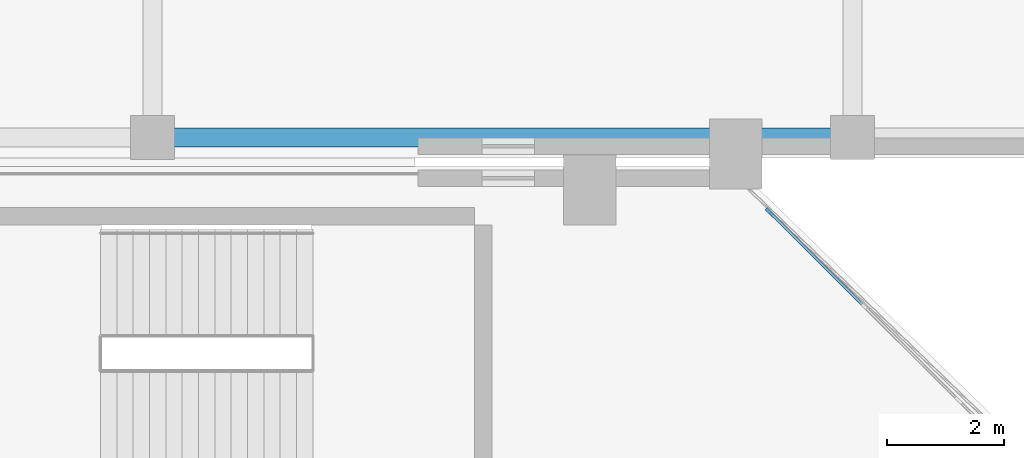
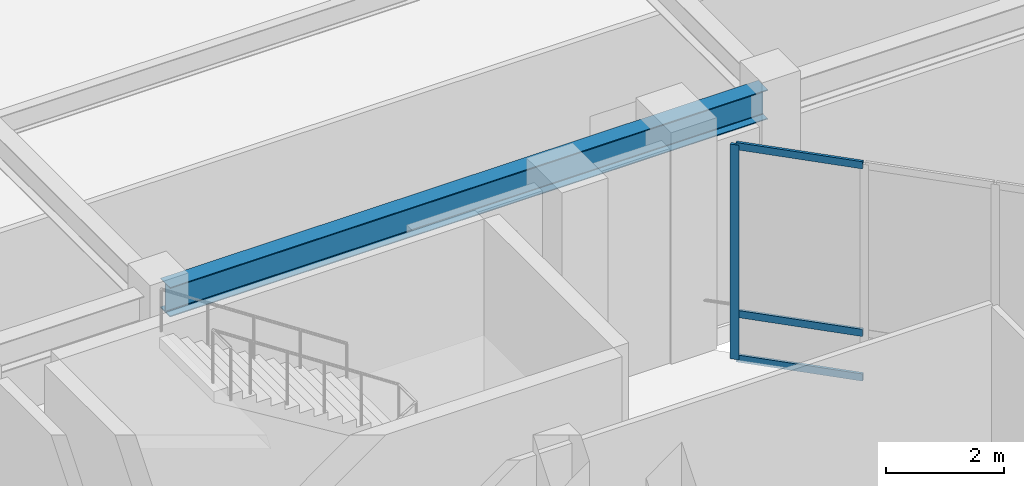
# One storey, part 37 of 126: 4 members, 1 beam, 1 element without a shape of its own.
"""IFC4 building model written with IfcOpenShell, lengths in metres."""

import ifcopenshell
import ifcopenshell.guid

model = None  # the IFC model being written
_history = None  # IfcOwnerHistory: only IFC2X3 demands one
_inside = {}  # id of a spatial element -> (the spatial element, [elements in it])
_under = {}  # id of a project, library or spatial element -> (it, [spatial elements below it])
_declared = {}  # id of a project -> (the project, [libraries it declares])
_typed = {}  # id of a type object -> (the type object, [elements of that type])
_made_of = {}  # id of a material, layer set ... -> (it, [elements and type objects made of it])


def new_model(schema):
    """Start an empty IFC model of exactly this schema.

    Asked for "IFC4X3", IfcOpenShell would pick the latest addendum, in which some entities
    have other attributes; the version numbers below select the first issue.
    IFC2X3 requires an IfcOwnerHistory on every rooted entity: one is made here for all.
    """
    global model, _history
    if schema == "IFC4X3":
        model = ifcopenshell.file(schema_version=(4, 3, 0, 0))
    else:
        model = ifcopenshell.file(schema=schema)
    _inside.clear()
    _under.clear()
    _declared.clear()
    _typed.clear()
    _made_of.clear()
    _history = None
    if model.schema == "IFC2X3":
        org = make("IfcOrganization", Name="unknown")
        user = make(
            "IfcPersonAndOrganization",
            ThePerson=make("IfcPerson", FamilyName="unknown"),
            TheOrganization=org,
        )
        app = make(
            "IfcApplication",
            ApplicationDeveloper=org,
            Version="unknown",
            ApplicationFullName="unknown",
            ApplicationIdentifier="unknown",
        )
        _history = make(
            "IfcOwnerHistory",
            OwningUser=user,
            OwningApplication=app,
            ChangeAction="ADDED",
            CreationDate=0,
        )
    return model


def make(cls, **values):
    """One entity of the class cls with the attributes given. An attribute that is None is left unset."""
    return model.create_entity(
        cls, **{name: value for name, value in values.items() if value is not None}
    )


def rooted(cls, **values):
    """An entity with a GlobalId (a new one), such as an element, a storey or a relation."""
    return make(cls, GlobalId=ifcopenshell.guid.new(), OwnerHistory=_history, **values)


def si_unit(unit_type, name, prefix=None):
    """IfcSIUnit, for example si_unit("LENGTHUNIT", "METRE", prefix="MILLI")."""
    return make("IfcSIUnit", UnitType=unit_type, Prefix=prefix, Name=name)


def derived_unit(unit_type, elements):
    """IfcDerivedUnit: a product of units, each with its exponent."""
    return make(
        "IfcDerivedUnit",
        Elements=[
            make("IfcDerivedUnitElement", Unit=unit, Exponent=power)
            for unit, power in elements
        ],
        UnitType=unit_type,
    )


def assignment(units):
    """IfcUnitAssignment: the units of a project."""
    return None if units is None else make("IfcUnitAssignment", Units=units)


def point(xyz):
    """IfcCartesianPoint."""
    return None if xyz is None else make("IfcCartesianPoint", Coordinates=xyz)


def direction(xyz):
    """IfcDirection."""
    return None if xyz is None else make("IfcDirection", DirectionRatios=xyz)


def frame(location, z_axis=None, x_axis=None):
    """IfcAxis2Placement3D, a coordinate frame: its origin and axes. An axis left out is left unset."""
    return make(
        "IfcAxis2Placement3D",
        Location=point(location),
        Axis=direction(z_axis),
        RefDirection=direction(x_axis),
    )


def frame_2d(location, x_axis=None):
    """IfcAxis2Placement2D, a coordinate frame in the plane: its origin and x axis."""
    return make(
        "IfcAxis2Placement2D", Location=point(location), RefDirection=direction(x_axis)
    )


def origin():
    """The frame at (0, 0, 0) with its axes left unset."""
    return frame((0.0, 0.0, 0.0))


def origin_2d():
    """The frame at (0, 0) in the plane with its x axis left unset."""
    return frame_2d((0.0, 0.0))


def place(relative_to, where):
    """IfcLocalPlacement: puts the frame where relative to a parent placement (None: the world)."""
    return make(
        "IfcLocalPlacement", PlacementRelTo=relative_to, RelativePlacement=where
    )


def context(
    kind, dimensions, precision=None, world=None, true_north=None, identifier=None
):
    """IfcGeometricRepresentationContext, for example the 3D "Model" context."""
    return make(
        "IfcGeometricRepresentationContext",
        ContextIdentifier=identifier,
        ContextType=kind,
        CoordinateSpaceDimension=dimensions,
        Precision=precision,
        WorldCoordinateSystem=world,
        TrueNorth=true_north,
    )


def subcontext(parent, identifier, kind, view, scale=None):
    """IfcGeometricRepresentationSubContext, for example "Body" below "Model"."""
    return make(
        "IfcGeometricRepresentationSubContext",
        ContextIdentifier=identifier,
        ContextType=kind,
        ParentContext=parent,
        TargetScale=scale,
        TargetView=view,
    )


def project(units=None, contexts=None):
    """IfcProject with its units and contexts."""
    return rooted(
        "IfcProject",
        Name="project",
        RepresentationContexts=contexts,
        UnitsInContext=assignment(units),
    )


def spatial(cls, under=None, at=None, **own):
    """A site, building, storey or space (cls), placed at a placement, below another one or the project."""
    s = rooted(cls, ObjectPlacement=at, **own)
    if under is not None:
        _under.setdefault(under.id(), (under, []))[1].append(s)
    return s


def profile(cls, at=None, kind="AREA", **sizes):
    """A parametric profile (cls). Its sizes go by their IFC names, for example OverallWidth=200.0."""
    return make(cls, ProfileType=kind, Position=at, **sizes)


def rectangle(**sizes):
    """IfcRectangleProfileDef."""
    return profile("IfcRectangleProfileDef", **sizes)


def i_section(**sizes):
    """IfcIShapeProfileDef."""
    return profile("IfcIShapeProfileDef", **sizes)


def extrude(swept, where, along, depth):
    """IfcExtrudedAreaSolid: the profile swept, set in the frame where, extruded along a direction by depth."""
    return make(
        "IfcExtrudedAreaSolid",
        SweptArea=swept,
        Position=where,
        ExtrudedDirection=direction(along),
        Depth=depth,
    )


def shape(context_of_items, identifier, shape_type, items):
    """IfcShapeRepresentation: the items that make up one representation, for example the "Body"."""
    return make(
        "IfcShapeRepresentation",
        ContextOfItems=context_of_items,
        RepresentationIdentifier=identifier,
        RepresentationType=shape_type,
        Items=items,
    )


def material(Name=None, Category=None):
    """IfcMaterial."""
    return make("IfcMaterial", Name=Name, Category=Category)


def layer(
    of_material, thickness, ventilated=None, Name=None, Category=None, Priority=None
):
    """IfcMaterialLayer: one layer of a wall or slab, of a material (None: an air gap)."""
    return make(
        "IfcMaterialLayer",
        Material=of_material,
        LayerThickness=thickness,
        IsVentilated=ventilated,
        Name=Name,
        Category=Category,
        Priority=Priority,
    )


def layer_set(layers, Name=None):
    """IfcMaterialLayerSet."""
    return make("IfcMaterialLayerSet", MaterialLayers=layers, LayerSetName=Name)


def material_profile(
    of_material, cross_section, Name=None, Category=None, Priority=None
):
    """IfcMaterialProfile: a cross section and its material."""
    return make(
        "IfcMaterialProfile",
        Name=Name,
        Material=of_material,
        Profile=cross_section,
        Priority=Priority,
        Category=Category,
    )


def profile_set(profiles, Name=None, composite=None):
    """IfcMaterialProfileSet."""
    return make(
        "IfcMaterialProfileSet",
        Name=Name,
        MaterialProfiles=profiles,
        CompositeProfile=composite,
    )


def made_of(thing, what):
    """Note that an element or type object is made of a material, layer set ...; save() writes the relation."""
    if what is not None:
        _made_of.setdefault(what.id(), (what, []))[1].append(thing)
    return thing


def type_object(cls, material=None, **own):
    """A type object (cls), such as IfcWallType, which elements share."""
    return made_of(rooted(cls, **own), material)


def element(
    cls,
    number,
    at=None,
    inside=None,
    cuts=None,
    type_object=None,
    material=None,
    context=None,
    identifier="Body",
    shape_type=None,
    held_by="IfcProductDefinitionShape",
    body=None,
    shapes=None,
    **own,
):
    """One element of the class cls, such as IfcWall. Its Tag is "e" and its number.

    at: its placement. inside: the storey or other place that contains it. cuts: it is an
    opening in that element (IfcRelVoidsElement). A single representation is given by context,
    identifier, shape_type and body (its items); several are given by shapes. held_by: the class
    of the entity that holds the representations. save() writes the other relations.
    """
    e = rooted(cls, Tag="e%d" % number, ObjectPlacement=at, **own)
    if body is not None:
        shapes = [shape(context, identifier, shape_type, body)]
    if shapes is not None:
        e.Representation = make(held_by, Representations=shapes)
    if inside is not None:
        _inside.setdefault(inside.id(), (inside, []))[1].append(e)
    if cuts is not None:
        rooted(
            "IfcRelVoidsElement", RelatingBuildingElement=cuts, RelatedOpeningElement=e
        )
    if type_object is not None:
        _typed.setdefault(type_object.id(), (type_object, []))[1].append(e)
    return made_of(e, material)


def aggregate(whole, parts):
    """IfcRelAggregates: a whole, such as a stair, and the parts it consists of."""
    return rooted("IfcRelAggregates", RelatingObject=whole, RelatedObjects=parts)


def save(model, path):
    """Write the relations noted so far, then the file.

    IfcRelAggregates (storeys below a building ...), IfcRelContainedInSpatialStructure (elements
    in a storey), IfcRelDefinesByType, IfcRelAssociatesMaterial and IfcRelDeclares: one each for
    every whole, place, type object, material and project.
    """
    for whole, parts in _under.values():
        aggregate(whole, parts)
    for where, things in _inside.values():
        rooted(
            "IfcRelContainedInSpatialStructure",
            RelatedElements=things,
            RelatingStructure=where,
        )
    for kind, things in _typed.values():
        rooted("IfcRelDefinesByType", RelatedObjects=things, RelatingType=kind)
    for what, things in _made_of.values():
        rooted("IfcRelAssociatesMaterial", RelatedObjects=things, RelatingMaterial=what)
    for by, libraries in _declared.values():
        rooted("IfcRelDeclares", RelatingContext=by, RelatedDefinitions=libraries)
    model.write(path)


model = new_model("IFC4")

# Units and contexts
model_context = context("Model", 3, precision=1e-05, world=origin(), true_north=direction((0.0, 1.0)))
body_context = subcontext(model_context, "Body", "Model", "MODEL_VIEW")
ifc_project = project(units=[si_unit("LENGTHUNIT", "METRE"), si_unit("AREAUNIT", "SQUARE_METRE"), si_unit("VOLUMEUNIT", "CUBIC_METRE"), si_unit("PLANEANGLEUNIT", "RADIAN"), si_unit("MASSUNIT", "GRAM", prefix="KILO"), derived_unit("THERMALTRANSMITTANCEUNIT", [(si_unit("MASSUNIT", "GRAM", prefix="KILO"), 1), (si_unit("TIMEUNIT", "SECOND"), -3), (si_unit("THERMODYNAMICTEMPERATUREUNIT", "KELVIN"), -1)])], contexts=[model_context])

# Site, building, storey
site_placement = place(None, origin())
site = spatial("IfcSite", under=ifc_project, at=site_placement, CompositionType="ELEMENT")
building_placement = place(site_placement, origin())
building = spatial("IfcBuilding", under=site, at=building_placement, Name="Valcora Ridge Arena", CompositionType="ELEMENT")
storey_placement = place(building_placement, frame((0.0, 0.0, 11.39990234375)))
storey = spatial("IfcBuildingStorey", under=building, at=storey_placement, Name="L02", CompositionType="ELEMENT", Elevation=11.39990234375)

# Beam
ifc_material_1 = material(Name="Steel ASTM A572 Grade 50", Category="steel")
ifc_material_profile_1 = material_profile(ifc_material_1, i_section(OverallWidth=0.324951171875, OverallDepth=0.612060546875, WebThickness=0.0126953125, FlangeThickness=0.01904296875, FilletRadius=0.01806640625, at=origin_2d()), Name="W24X104")
ifc_profile_set_1 = profile_set([ifc_material_profile_1], Name="Steel ASTM A572 Grade 50")
beam_type = type_object("IfcBeamType", Name="TY-BEAM-G-W24X104-X", PredefinedType="BEAM", material=ifc_profile_set_1)
beam_placement = place(storey_placement, frame((84.139892578125, 108.699951171875, 4.14404296875), z_axis=(1.0, 0.0, 0.0), x_axis=(0.0, 1.0, 0.0)))
element("IfcBeam", 1, at=beam_placement, inside=storey, type_object=beam_type, Name="G-W24X104-X BEM-G-W24X104-X-0071", PredefinedType="BEAM", context=body_context, shape_type="SweptSolid", body=[
    extrude(i_section(OverallWidth=0.324951171875, OverallDepth=0.612060546875, WebThickness=0.0126953125, FlangeThickness=0.01904296875, FilletRadius=0.01806640625, at=origin_2d()), origin(), (0.0, 0.0, 1.0), 11.72021484375),
])

# Curtain wall, members
ifc_material_2 = material(Name="Anodised dark bronze architectural aluminium 6063-T6", Category="aluminium")
ifc_layer = layer(ifc_material_2, 0.14990234375, Name="Anodised dark bronze architectural aluminium 6063-T6")
ifc_layer_set = layer_set([ifc_layer], Name="Anodised dark bronze architectural aluminium 6063-T6")
curtain_wall_type = type_object("IfcCurtainWallType", Name="TY-CURTAINWALL-CW-V1-EAST-069X44", PredefinedType="NOTDEFINED", material=ifc_layer_set)
curtain_wall_placement = place(storey_placement, origin())
curtain_wall = element("IfcCurtainWall", 2, at=curtain_wall_placement, inside=storey, type_object=curtain_wall_type, Name="CW-V1-EAST-069X44 CW-0130", PredefinedType="NOTDEFINED")
ifc_material_profile_2 = material_profile(ifc_material_2, rectangle(XDim=0.050048828125, YDim=0.14990234375, at=origin_2d()), Name="ALU MULLION 50x150")
ifc_profile_set_2 = profile_set([ifc_material_profile_2], Name="Anodised dark bronze architectural aluminium 6063-T6")
member_type_1 = type_object("IfcMemberType", Name="TY-MEM-CWM-50x150", PredefinedType="MULLION", material=ifc_profile_set_2)
member_1_placement = place(storey_placement, frame((94.57421875, 107.42822265625, 0.0), z_axis=(0.0, 0.0, 1.0), x_axis=(-0.705657660986, -0.708552937678, 0.0)))
member_1 = element("IfcMember", 3, at=member_1_placement, type_object=member_type_1, Name="CW-0130/CWM-50x150/M03", PredefinedType="MULLION", context=body_context, shape_type="SweptSolid", body=[
    extrude(rectangle(XDim=0.050048828125, YDim=0.14990234375, at=origin_2d()), origin(), (0.0, 0.0, 1.0), 4.4501953125),
])
ifc_material_profile_3 = material_profile(ifc_material_2, rectangle(XDim=0.050048828125, YDim=0.14990234375, at=origin_2d()), Name="ALU TRANSOM 50x150")
ifc_profile_set_3 = profile_set([ifc_material_profile_3], Name="Anodised dark bronze architectural aluminium 6063-T6")
member_type_2 = type_object("IfcMemberType", Name="TY-MEM-CWT-50x150", PredefinedType="USERDEFINED", material=ifc_profile_set_3)
member_2_placement = place(storey_placement, frame((96.170166015625, 105.8388671875, 0.025146484375), z_axis=(-0.70853051853, 0.705680171403, 0.0), x_axis=(-0.705680171403, -0.70853051853, 0.0)))
member_2 = element("IfcMember", 4, at=member_2_placement, type_object=member_type_2, Name="CW-0130/CWT-50x150/T02-00", ObjectType="TRANSOM", PredefinedType="USERDEFINED", context=body_context, shape_type="SweptSolid", body=[
    extrude(rectangle(XDim=0.050048828125, YDim=0.14990234375, at=origin_2d()), origin(), (0.0, 0.0, 1.0), 2.22705078125),
])
member_3_placement = place(storey_placement, frame((96.170166015625, 105.8388671875, 0.9501953125), z_axis=(-0.70853051853, 0.705680171403, 0.0), x_axis=(-0.705680171403, -0.70853051853, 0.0)))
member_3 = element("IfcMember", 5, at=member_3_placement, type_object=member_type_2, Name="CW-0130/CWT-50x150/T02-01", ObjectType="TRANSOM", PredefinedType="USERDEFINED", context=body_context, shape_type="SweptSolid", body=[
    extrude(rectangle(XDim=0.050048828125, YDim=0.14990234375, at=origin_2d()), origin(), (0.0, 0.0, 1.0), 2.22705078125),
])
member_4_placement = place(storey_placement, frame((96.170166015625, 105.8388671875, 4.425048828125), z_axis=(-0.70853051853, 0.705680171403, 0.0), x_axis=(-0.705680171403, -0.70853051853, 0.0)))
member_4 = element("IfcMember", 6, at=member_4_placement, type_object=member_type_2, Name="CW-0130/CWT-50x150/T02-02", ObjectType="TRANSOM", PredefinedType="USERDEFINED", context=body_context, shape_type="SweptSolid", body=[
    extrude(rectangle(XDim=0.050048828125, YDim=0.14990234375, at=origin_2d()), origin(), (0.0, 0.0, 1.0), 2.22705078125),
])
aggregate(curtain_wall, [member_1, member_2, member_3, member_4])

save(model, "model.ifc")
